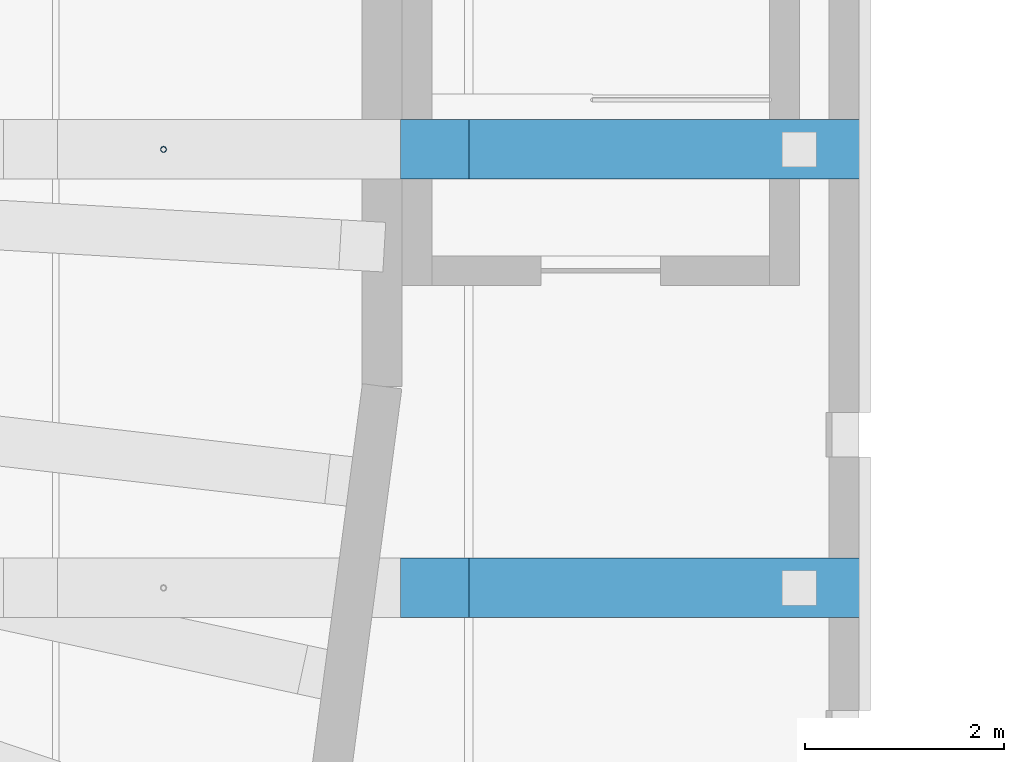
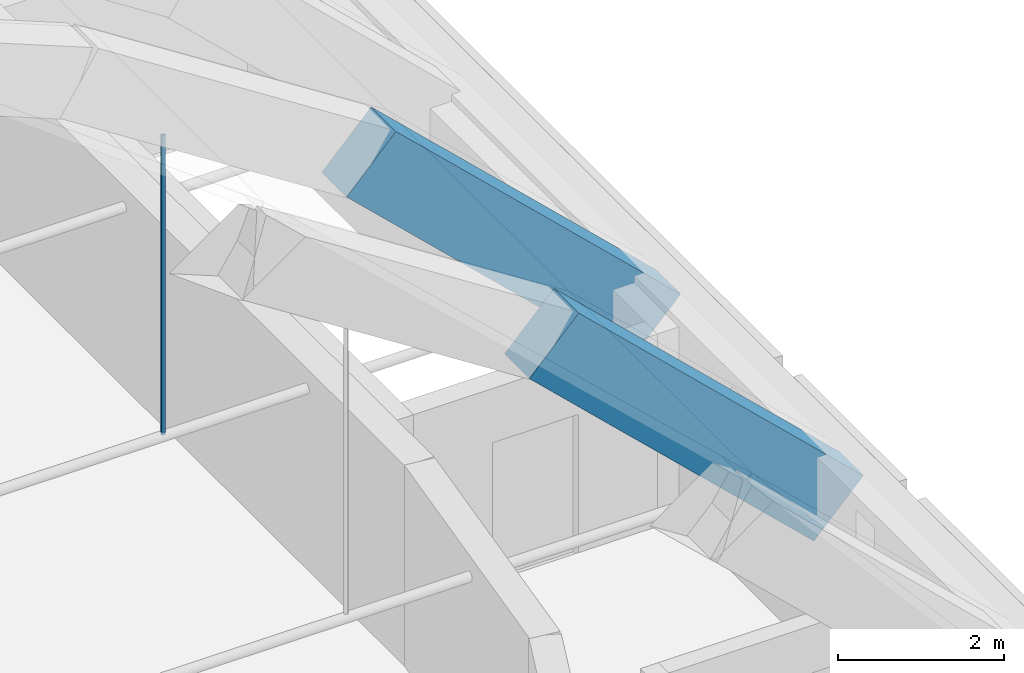
# One storey, part 43 of 94: 2 beams, 1 member.
"""IFC4 building model written with IfcOpenShell, lengths in metres."""

from ifc_helpers import new_model, si_unit, direction, frame, origin, origin_2d, place, context, subcontext, project, spatial, rectangle, hollow_circle, extrude, material, material_profile, profile_set, type_object, element, save


model = new_model("IFC4")

# Units and contexts
model_context = context("Model", 3, precision=1e-05, world=origin(), true_north=direction((0.0, 1.0)))
body_context = subcontext(model_context, "Body", "Model", "MODEL_VIEW")
ifc_project = project(units=[si_unit("LENGTHUNIT", "METRE"), si_unit("AREAUNIT", "SQUARE_METRE"), si_unit("VOLUMEUNIT", "CUBIC_METRE"), si_unit("PLANEANGLEUNIT", "RADIAN"), si_unit("MASSUNIT", "GRAM", prefix="KILO")], contexts=[model_context])

# Site, building, storey
site_placement = place(None, origin())
site = spatial("IfcSite", under=ifc_project, at=site_placement, CompositionType="ELEMENT")
building_placement = place(site_placement, origin())
building = spatial("IfcBuilding", under=site, at=building_placement, Name="Lunette Opera House", CompositionType="ELEMENT")
storey_placement = place(building_placement, frame((0.0, 0.0, 22.5)))
storey = spatial("IfcBuildingStorey", under=building, at=storey_placement, Name="L04", CompositionType="ELEMENT", Elevation=22.5)

# Beams
ifc_material_1 = material(Name="Concrete C40/50", Category="concrete")
ifc_material_profile_1 = material_profile(ifc_material_1, rectangle(XDim=0.60009765625, YDim=1.0, at=origin_2d()), Name="ARCH BEAM 600X1000")
ifc_profile_set_1 = profile_set([ifc_material_profile_1], Name="Concrete C40/50")
beam_type = type_object("IfcBeamType", Name="ARCH BEAM 600X1000", PredefinedType="BEAM", material=ifc_profile_set_1)
for number, where, z_axis, x_axis, name in (
    (1, (111.72998046875, 81.95703125, 5.931884765625), (0.723596948656, 0.0, -0.69022275817), (0.0, 1.0, 0.0), "beam-AU-L04-EA5-9"),
    (2, (111.72998046875, 86.37109375, 5.931884765625), (0.723596948656, 0.0, -0.69022275817), (0.0, 1.0, 0.0), "beam-AU-L04-EA6-9"),
):
    element("IfcBeam", number, at=place(storey_placement, frame(where, z_axis=z_axis, x_axis=x_axis)), inside=storey, type_object=beam_type, Name=name, PredefinedType="BEAM", context=body_context, shape_type="SweptSolid", body=[
        extrude(rectangle(XDim=0.60009765625, YDim=1.0, at=origin_2d()), origin(), (0.0, 0.0, 1.0), 5.486328125),
    ])

# Member
ifc_material_2 = material(Name="Steel S355", Category="steel")
ifc_material_profile_2 = material_profile(ifc_material_2, hollow_circle(Radius=0.030029296875, WallThickness=0.00390625, at=origin_2d()), Name="CHS 60.3X4")
ifc_profile_set_2 = profile_set([ifc_material_profile_2], Name="Steel S355")
member_type = type_object("IfcMemberType", Name="CHS 60.3X4", PredefinedType="POST", material=ifc_profile_set_2)
member_placement = place(storey_placement, frame((109.0, 86.37109375, 2.72998046875), z_axis=(0.0, 0.0, 1.0), x_axis=(1.0, 0.0, 0.0)))
element("IfcMember", 3, at=member_placement, inside=storey, type_object=member_type, Name="mem-AU-L04-HG6-109", PredefinedType="POST", context=body_context, shape_type="SweptSolid", body=[
    extrude(hollow_circle(Radius=0.030029296875, WallThickness=0.00390625, at=origin_2d()), origin(), (0.0, 0.0, 1.0), 4.4111328125),
])

save(model, "model.ifc")
